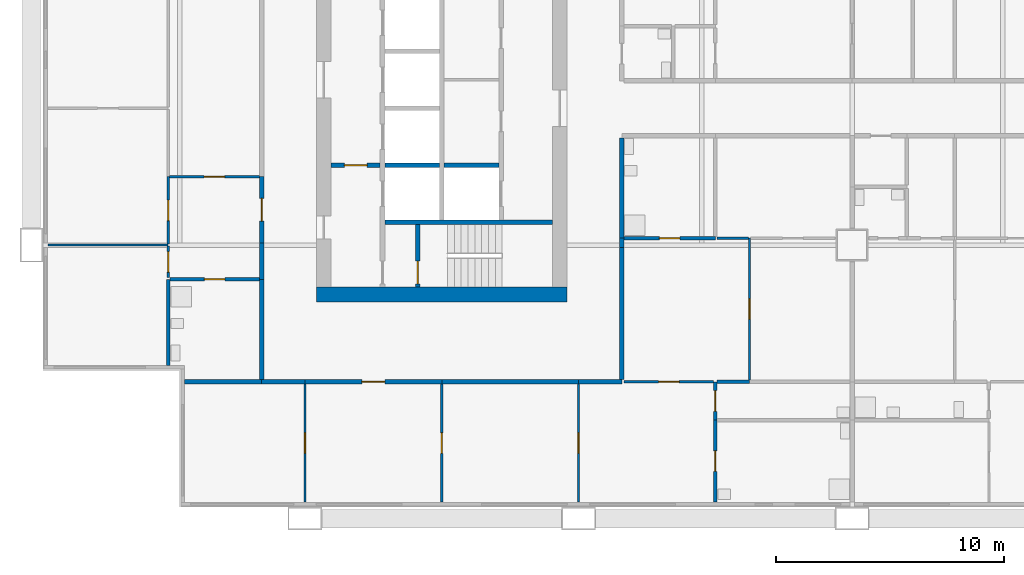
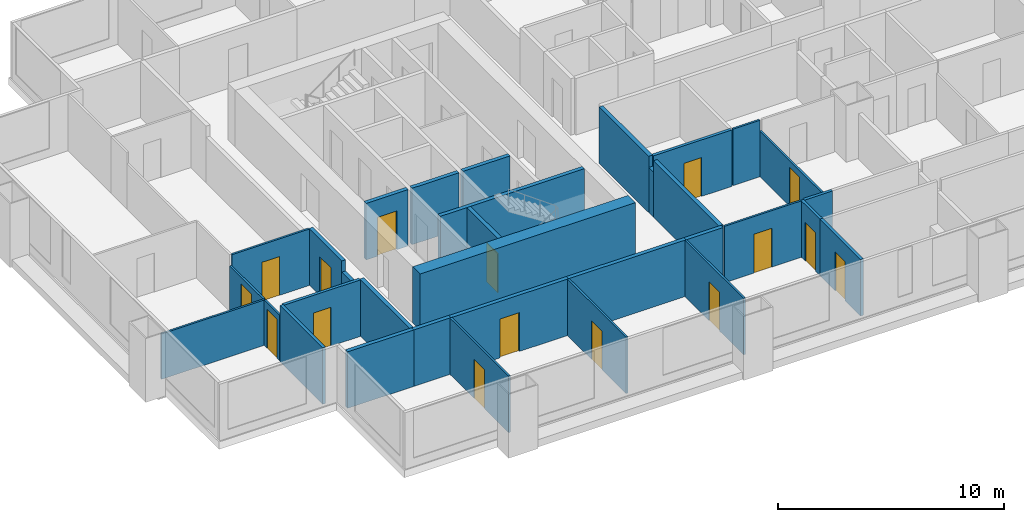
# One storey, part 2 of 11: 33 walls, 16 doors, 16 openings.
"""IFC4 building model written with IfcOpenShell, lengths in metres."""

from ifc_helpers import new_model, si_unit, direction, frame, frame_2d, origin, place, context, subcontext, project, spatial, rectangle, extrude, material, layer, layer_set, type_object, element, fill, save


model = new_model("IFC4")

# Units and contexts
model_context = context("Model", 3, precision=1e-05, world=origin(), true_north=direction((0.0, 1.0)))
body_context = subcontext(model_context, "Body", "Model", "MODEL_VIEW")
ifc_project = project(units=[si_unit("LENGTHUNIT", "METRE"), si_unit("AREAUNIT", "SQUARE_METRE"), si_unit("VOLUMEUNIT", "CUBIC_METRE"), si_unit("PLANEANGLEUNIT", "RADIAN"), si_unit("MASSUNIT", "GRAM", prefix="KILO")], contexts=[model_context])

# Site, building, storey
site_placement = place(None, origin())
site = spatial("IfcSite", under=ifc_project, at=site_placement, CompositionType="ELEMENT")
building_placement = place(site_placement, origin())
building = spatial("IfcBuilding", under=site, at=building_placement, Name="Kitamizu Gate Tower and Museum", CompositionType="ELEMENT")
storey_placement = place(building_placement, frame((0.0, 0.0, 103.5)))
storey = spatial("IfcBuildingStorey", under=building, at=storey_placement, Name="L26", CompositionType="ELEMENT", Elevation=103.5)

# Wall
ifc_material_1 = material(Name="Concrete Fc60", Category="concrete")
ifc_layer_1 = layer(ifc_material_1, 0.64990234375)
ifc_layer_set_1 = layer_set([ifc_layer_1], Name="Concrete Fc60")
wall_type_1 = type_object("IfcWallType", Name="Core wall 650", PredefinedType="SHEAR", material=ifc_layer_set_1)
wall_1_placement = place(storey_placement, frame((12.5, 21.824951171875, 0.0), z_axis=(0.0, 0.0, 1.0), x_axis=(1.0, 0.0, 0.0)))
element("IfcWall", 1, at=wall_1_placement, inside=storey, type_object=wall_type_1, Name="Core wall WS", PredefinedType="SHEAR", context=body_context, shape_type="SweptSolid", body=[
    extrude(rectangle(XDim=11.0, YDim=0.64990234375, at=frame_2d((5.5, 0.0))), origin(), (0.0, 0.0, 1.0), 3.050048828125),
])

# Wall, opening, door
ifc_material_2 = material(Name="Gypsum board on galvanised stud")
ifc_layer_2 = layer(ifc_material_2, 0.10009765625)
ifc_layer_set_2 = layer_set([ifc_layer_2], Name="Gypsum board on galvanised stud")
wall_type_2 = type_object("IfcWallType", Name="Partition 100 NOT RATED", PredefinedType="PARTITIONING", material=ifc_layer_set_2)
wall_2_placement = place(storey_placement, frame((12.0, 12.719970703125, 0.0), z_axis=(0.0, 0.0, 1.0), x_axis=(0.0, 1.0, 0.0)))
wall_2 = element("IfcWall", 2, at=wall_2_placement, inside=storey, type_object=wall_type_2, Name="Partition L26-001", PredefinedType="PARTITIONING", context=body_context, shape_type="SweptSolid", body=[
    extrude(rectangle(XDim=5.179931640625, YDim=0.10009765625, at=frame_2d((2.58984375, 0.0))), origin(), (0.0, 0.0, 1.0), 3.050048828125),
])
opening_1_placement = place(wall_2_placement, frame((2.139892578125, 0.0, 0.0)))
opening_1 = element("IfcOpeningElement", 3, at=opening_1_placement, cuts=wall_2, Name="Opening L26-005", PredefinedType="OPENING", context=body_context, shape_type="SweptSolid", body=[
    extrude(rectangle(XDim=0.89990234375, YDim=2.10009765625, at=frame_2d((0.449951171875, 1.050048828125))), frame((0.0, 0.06005859375, 0.0), z_axis=(0.0, -1.0, 0.0), x_axis=(1.0, 0.0, 0.0)), (0.0, 0.0, 1.0), 0.1201171875),
])
ifc_material_3 = material(Name="Timber door set", Category="wood")
door_type_1 = type_object("IfcDoorType", Name="Room door 900", OperationType="NOTDEFINED", PredefinedType="DOOR", material=ifc_material_3)
door_1_placement = place(opening_1_placement, origin())
door_1 = element("IfcDoor", 4, at=door_1_placement, inside=storey, type_object=door_type_1, Name="Door L26-005", OperationType="SINGLE_SWING_RIGHT", OverallHeight=2.10009765625, OverallWidth=0.89990234375, PredefinedType="DOOR", context=body_context, shape_type="SweptSolid", body=[
    extrude(rectangle(XDim=0.89990234375, YDim=2.10009765625, at=frame_2d((0.449951171875, 1.050048828125))), frame((0.0, 0.02490234375, 0.0), z_axis=(0.0, -1.0, 0.0), x_axis=(1.0, 0.0, 0.0)), (0.0, 0.0, 1.0), 0.050048828125),
])
fill(opening_1, door_1)

wall_3_placement = place(storey_placement, frame((18.0, 12.719970703125, 0.0), z_axis=(0.0, 0.0, 1.0), x_axis=(0.0, 1.0, 0.0)))
wall_3 = element("IfcWall", 5, at=wall_3_placement, inside=storey, type_object=wall_type_2, Name="Partition L26-004", PredefinedType="PARTITIONING", context=body_context, shape_type="SweptSolid", body=[
    extrude(rectangle(XDim=5.179931640625, YDim=0.10009765625, at=frame_2d((2.58984375, 0.0))), origin(), (0.0, 0.0, 1.0), 3.050048828125),
])
opening_2_placement = place(wall_3_placement, frame((2.139892578125, 0.0, 0.0)))
opening_2 = element("IfcOpeningElement", 6, at=opening_2_placement, cuts=wall_3, Name="Opening L26-002", PredefinedType="OPENING", context=body_context, shape_type="SweptSolid", body=[
    extrude(rectangle(XDim=0.89990234375, YDim=2.10009765625, at=frame_2d((0.449951171875, 1.050048828125))), frame((0.0, 0.06005859375, 0.0), z_axis=(0.0, -1.0, 0.0), x_axis=(1.0, 0.0, 0.0)), (0.0, 0.0, 1.0), 0.1201171875),
])
door_2_placement = place(opening_2_placement, frame((0.89990234375, 0.0, 0.0), x_axis=(-1.0, 0.0, 0.0)))
door_2 = element("IfcDoor", 7, at=door_2_placement, inside=storey, type_object=door_type_1, Name="Door L26-002", OperationType="SINGLE_SWING_RIGHT", OverallHeight=2.10009765625, OverallWidth=0.89990234375, PredefinedType="DOOR", context=body_context, shape_type="SweptSolid", body=[
    extrude(rectangle(XDim=0.89990234375, YDim=2.10009765625, at=frame_2d((0.449951171875, 1.050048828125))), frame((0.0, 0.02490234375, 0.0), z_axis=(0.0, -1.0, 0.0), x_axis=(1.0, 0.0, 0.0)), (0.0, 0.0, 1.0), 0.050048828125),
])
fill(opening_2, door_2)

wall_4_placement = place(storey_placement, frame((24.0, 12.719970703125, 0.0), z_axis=(0.0, 0.0, 1.0), x_axis=(0.0, 1.0, 0.0)))
wall_4 = element("IfcWall", 8, at=wall_4_placement, inside=storey, type_object=wall_type_2, Name="Partition L26-006", PredefinedType="PARTITIONING", context=body_context, shape_type="SweptSolid", body=[
    extrude(rectangle(XDim=5.179931640625, YDim=0.10009765625, at=frame_2d((2.58984375, 0.0))), origin(), (0.0, 0.0, 1.0), 3.050048828125),
])
opening_3_placement = place(wall_4_placement, frame((2.139892578125, 0.0, 0.0)))
opening_3 = element("IfcOpeningElement", 9, at=opening_3_placement, cuts=wall_4, Name="Opening L26-003", PredefinedType="OPENING", context=body_context, shape_type="SweptSolid", body=[
    extrude(rectangle(XDim=0.89990234375, YDim=2.10009765625, at=frame_2d((0.449951171875, 1.050048828125))), frame((0.0, 0.06005859375, 0.0), z_axis=(0.0, -1.0, 0.0), x_axis=(1.0, 0.0, 0.0)), (0.0, 0.0, 1.0), 0.1201171875),
])
door_3_placement = place(opening_3_placement, origin())
door_3 = element("IfcDoor", 10, at=door_3_placement, inside=storey, type_object=door_type_1, Name="Door L26-003", OperationType="SINGLE_SWING_RIGHT", OverallHeight=2.10009765625, OverallWidth=0.89990234375, PredefinedType="DOOR", context=body_context, shape_type="SweptSolid", body=[
    extrude(rectangle(XDim=0.89990234375, YDim=2.10009765625, at=frame_2d((0.449951171875, 1.050048828125))), frame((0.0, 0.02490234375, 0.0), z_axis=(0.0, -1.0, 0.0), x_axis=(1.0, 0.0, 0.0)), (0.0, 0.0, 1.0), 0.050048828125),
])
fill(opening_3, door_3)

wall_5_placement = place(storey_placement, frame((29.925048828125, 18.0, 0.0), z_axis=(0.0, 0.0, 1.0), x_axis=(-1.0, 0.0, 0.0)))
wall_5 = element("IfcWall", 11, at=wall_5_placement, inside=storey, type_object=wall_type_2, Name="Partition L26-010", PredefinedType="PARTITIONING", context=body_context, shape_type="SweptSolid", body=[
    extrude(rectangle(XDim=3.925048828125, YDim=0.10009765625, at=frame_2d((1.96240234375, 0.0))), origin(), (0.0, 0.0, 1.0), 3.050048828125),
])
opening_4_placement = place(wall_5_placement, frame((1.512451171875, 0.0, 0.0)))
opening_4 = element("IfcOpeningElement", 12, at=opening_4_placement, cuts=wall_5, Name="Opening L26-007", PredefinedType="OPENING", context=body_context, shape_type="SweptSolid", body=[
    extrude(rectangle(XDim=0.89990234375, YDim=2.10009765625, at=frame_2d((0.449951171875, 1.050048828125))), frame((0.0, 0.06005859375, 0.0), z_axis=(0.0, -1.0, 0.0), x_axis=(1.0, 0.0, 0.0)), (0.0, 0.0, 1.0), 0.1201171875),
])
door_4_placement = place(opening_4_placement, origin())
door_4 = element("IfcDoor", 13, at=door_4_placement, inside=storey, type_object=door_type_1, Name="Door L26-007", OperationType="SINGLE_SWING_RIGHT", OverallHeight=2.10009765625, OverallWidth=0.89990234375, PredefinedType="DOOR", context=body_context, shape_type="SweptSolid", body=[
    extrude(rectangle(XDim=0.89990234375, YDim=2.10009765625, at=frame_2d((0.449951171875, 1.050048828125))), frame((0.0, 0.02490234375, 0.0), z_axis=(0.0, -1.0, 0.0), x_axis=(1.0, 0.0, 0.0)), (0.0, 0.0, 1.0), 0.050048828125),
])
fill(opening_4, door_4)

wall_6_placement = place(storey_placement, frame((31.5, 18.074951171875, 0.0), z_axis=(0.0, 0.0, 1.0), x_axis=(0.0, 1.0, 0.0)))
wall_6 = element("IfcWall", 14, at=wall_6_placement, inside=storey, type_object=wall_type_2, Name="Partition L26-017", PredefinedType="PARTITIONING", context=body_context, shape_type="SweptSolid", body=[
    extrude(rectangle(XDim=6.22509765625, YDim=0.10009765625, at=frame_2d((3.112548828125, 0.0))), origin(), (0.0, 0.0, 1.0), 2.449951171875),
])
opening_5_placement = place(wall_6_placement, frame((2.66259765625, 0.0, 0.0)))
opening_5 = element("IfcOpeningElement", 15, at=opening_5_placement, cuts=wall_6, Name="Opening L26-009", PredefinedType="OPENING", context=body_context, shape_type="SweptSolid", body=[
    extrude(rectangle(XDim=0.89990234375, YDim=2.10009765625, at=frame_2d((0.449951171875, 1.050048828125))), frame((0.0, 0.06005859375, 0.0), z_axis=(0.0, -1.0, 0.0), x_axis=(1.0, 0.0, 0.0)), (0.0, 0.0, 1.0), 0.1201171875),
])
door_5_placement = place(opening_5_placement, frame((0.89990234375, 0.0, 0.0), x_axis=(-1.0, 0.0, 0.0)))
door_5 = element("IfcDoor", 16, at=door_5_placement, inside=storey, type_object=door_type_1, Name="Door L26-009", OperationType="SINGLE_SWING_LEFT", OverallHeight=2.10009765625, OverallWidth=0.89990234375, PredefinedType="DOOR", context=body_context, shape_type="SweptSolid", body=[
    extrude(rectangle(XDim=0.89990234375, YDim=2.10009765625, at=frame_2d((0.449951171875, 1.050048828125))), frame((0.0, 0.02490234375, 0.0), z_axis=(0.0, -1.0, 0.0), x_axis=(1.0, 0.0, 0.0)), (0.0, 0.0, 1.0), 0.050048828125),
])
fill(opening_5, door_5)

# Walls
wall_7_placement = place(storey_placement, frame((31.449951171875, 24.300048828125, 0.0), z_axis=(0.0, 0.0, 1.0), x_axis=(-1.0, 0.0, 0.0)))
element("IfcWall", 17, at=wall_7_placement, inside=storey, type_object=wall_type_2, Name="Partition L26-019", PredefinedType="PARTITIONING", context=body_context, shape_type="SweptSolid", body=[
    extrude(rectangle(XDim=1.375, YDim=0.10009765625, at=frame_2d((0.6875, 0.0))), origin(), (0.0, 0.0, 1.0), 3.050048828125),
])
wall_8_placement = place(storey_placement, frame((6.0, 24.0, 0.0), z_axis=(0.0, 0.0, 1.0), x_axis=(-1.0, 0.0, 0.0)))
element("IfcWall", 18, at=wall_8_placement, inside=storey, type_object=wall_type_2, Name="Partition L26-030", PredefinedType="PARTITIONING", context=body_context, shape_type="SweptSolid", body=[
    extrude(rectangle(XDim=5.280029296875, YDim=0.10009765625, at=frame_2d((2.64013671875, 0.0))), origin(), (0.0, 0.0, 1.0), 2.449951171875),
])

# Wall, opening, door
wall_9_placement = place(storey_placement, frame((6.0, 22.574951171875, 0.0), z_axis=(0.0, 0.0, 1.0), x_axis=(0.0, 1.0, 0.0)))
wall_9 = element("IfcWall", 19, at=wall_9_placement, inside=storey, type_object=wall_type_2, Name="Partition L26-032", PredefinedType="PARTITIONING", context=body_context, shape_type="SweptSolid", body=[
    extrude(rectangle(XDim=1.375, YDim=0.10009765625, at=frame_2d((0.6875, 0.0))), origin(), (0.0, 0.0, 1.0), 2.449951171875),
])
opening_6_placement = place(wall_9_placement, frame((0.237548828125, 0.0, 0.0)))
opening_6 = element("IfcOpeningElement", 20, at=opening_6_placement, cuts=wall_9, Name="Opening L26-012", PredefinedType="OPENING", context=body_context, shape_type="SweptSolid", body=[
    extrude(rectangle(XDim=0.89990234375, YDim=2.10009765625, at=frame_2d((0.449951171875, 1.050048828125))), frame((0.0, 0.06005859375, 0.0), z_axis=(0.0, -1.0, 0.0), x_axis=(1.0, 0.0, 0.0)), (0.0, 0.0, 1.0), 0.1201171875),
])
door_6_placement = place(opening_6_placement, origin())
door_6 = element("IfcDoor", 21, at=door_6_placement, inside=storey, type_object=door_type_1, Name="Door L26-012", OperationType="SINGLE_SWING_LEFT", OverallHeight=2.10009765625, OverallWidth=0.89990234375, PredefinedType="DOOR", context=body_context, shape_type="SweptSolid", body=[
    extrude(rectangle(XDim=0.89990234375, YDim=2.10009765625, at=frame_2d((0.449951171875, 1.050048828125))), frame((0.0, 0.02490234375, 0.0), z_axis=(0.0, -1.0, 0.0), x_axis=(1.0, 0.0, 0.0)), (0.0, 0.0, 1.0), 0.050048828125),
])
fill(opening_6, door_6)

wall_10_placement = place(storey_placement, frame((6.0, 24.050048828125, 0.0), z_axis=(0.0, 0.0, 1.0), x_axis=(0.0, 1.0, 0.0)))
wall_10 = element("IfcWall", 22, at=wall_10_placement, inside=storey, type_object=wall_type_2, Name="Partition L26-034", PredefinedType="PARTITIONING", context=body_context, shape_type="SweptSolid", body=[
    extrude(rectangle(XDim=2.949951171875, YDim=0.10009765625, at=frame_2d((1.47509765625, 0.0))), origin(), (0.0, 0.0, 1.0), 2.449951171875),
])
opening_7_placement = place(wall_10_placement, frame((1.02490234375, 0.0, 0.0)))
opening_7 = element("IfcOpeningElement", 23, at=opening_7_placement, cuts=wall_10, Name="Opening L26-013", PredefinedType="OPENING", context=body_context, shape_type="SweptSolid", body=[
    extrude(rectangle(XDim=0.89990234375, YDim=2.10009765625, at=frame_2d((0.449951171875, 1.050048828125))), frame((0.0, 0.06005859375, 0.0), z_axis=(0.0, -1.0, 0.0), x_axis=(1.0, 0.0, 0.0)), (0.0, 0.0, 1.0), 0.1201171875),
])
door_7_placement = place(opening_7_placement, origin())
door_7 = element("IfcDoor", 24, at=door_7_placement, inside=storey, type_object=door_type_1, Name="Door L26-013", OperationType="SINGLE_SWING_RIGHT", OverallHeight=2.10009765625, OverallWidth=0.89990234375, PredefinedType="DOOR", context=body_context, shape_type="SweptSolid", body=[
    extrude(rectangle(XDim=0.89990234375, YDim=2.10009765625, at=frame_2d((0.449951171875, 1.050048828125))), frame((0.0, 0.02490234375, 0.0), z_axis=(0.0, -1.0, 0.0), x_axis=(1.0, 0.0, 0.0)), (0.0, 0.0, 1.0), 0.050048828125),
])
fill(opening_7, door_7)

wall_11_placement = place(storey_placement, frame((10.0, 27.0, 0.0), z_axis=(0.0, 0.0, 1.0), x_axis=(-1.0, 0.0, 0.0)))
wall_11 = element("IfcWall", 25, at=wall_11_placement, inside=storey, type_object=wall_type_2, Name="Partition L26-041", PredefinedType="PARTITIONING", context=body_context, shape_type="SweptSolid", body=[
    extrude(rectangle(XDim=3.949951171875, YDim=0.10009765625, at=frame_2d((1.97509765625, 0.0))), origin(), (0.0, 0.0, 1.0), 3.050048828125),
])
opening_8_placement = place(wall_11_placement, frame((1.52490234375, 0.0, 0.0)))
opening_8 = element("IfcOpeningElement", 26, at=opening_8_placement, cuts=wall_11, Name="Opening L26-014", PredefinedType="OPENING", context=body_context, shape_type="SweptSolid", body=[
    extrude(rectangle(XDim=0.89990234375, YDim=2.10009765625, at=frame_2d((0.449951171875, 1.050048828125))), frame((0.0, 0.06005859375, 0.0), z_axis=(0.0, -1.0, 0.0), x_axis=(1.0, 0.0, 0.0)), (0.0, 0.0, 1.0), 0.1201171875),
])
door_8_placement = place(opening_8_placement, origin())
door_8 = element("IfcDoor", 27, at=door_8_placement, inside=storey, type_object=door_type_1, Name="Door L26-014", OperationType="SINGLE_SWING_LEFT", OverallHeight=2.10009765625, OverallWidth=0.89990234375, PredefinedType="DOOR", context=body_context, shape_type="SweptSolid", body=[
    extrude(rectangle(XDim=0.89990234375, YDim=2.10009765625, at=frame_2d((0.449951171875, 1.050048828125))), frame((0.0, 0.02490234375, 0.0), z_axis=(0.0, -1.0, 0.0), x_axis=(1.0, 0.0, 0.0)), (0.0, 0.0, 1.0), 0.050048828125),
])
fill(opening_8, door_8)

ifc_material_4 = material(Name="Gypsum board on galvanised stud")
ifc_layer_3 = layer(ifc_material_4, 0.14990234375)
ifc_layer_set_3 = layer_set([ifc_layer_3], Name="Gypsum board on galvanised stud")
wall_type_3 = type_object("IfcWallType", Name="Partition 150", PredefinedType="PARTITIONING", material=ifc_layer_set_3)
wall_12_placement = place(storey_placement, frame((30.0, 12.719970703125, 0.0), z_axis=(0.0, 0.0, 1.0), x_axis=(0.0, 1.0, 0.0)))
wall_12 = element("IfcWall", 28, at=wall_12_placement, inside=storey, type_object=wall_type_3, Name="Partition L26-008", PredefinedType="PARTITIONING", context=body_context, shape_type="SweptSolid", body=[
    extrude(rectangle(XDim=3.60009765625, YDim=0.14990234375, at=frame_2d((1.800048828125, 0.0))), origin(), (0.0, 0.0, 1.0), 3.050048828125),
])
opening_9_placement = place(wall_12_placement, frame((1.35009765625, 0.0, 0.0)))
opening_9 = element("IfcOpeningElement", 29, at=opening_9_placement, cuts=wall_12, Name="Opening L26-004", PredefinedType="OPENING", context=body_context, shape_type="SweptSolid", body=[
    extrude(rectangle(XDim=0.89990234375, YDim=2.10009765625, at=frame_2d((0.449951171875, 1.050048828125))), frame((0.0, 0.0849609375, 0.0), z_axis=(0.0, -1.0, 0.0), x_axis=(1.0, 0.0, 0.0)), (0.0, 0.0, 1.0), 0.169921875),
])
ifc_material_5 = material(Name="Timber door set", Category="wood")
door_type_2 = type_object("IfcDoorType", Name="Bathroom door 900", OperationType="NOTDEFINED", PredefinedType="DOOR", material=ifc_material_5)
door_9_placement = place(opening_9_placement, frame((0.89990234375, 0.0, 0.0), x_axis=(-1.0, 0.0, 0.0)))
door_9 = element("IfcDoor", 30, at=door_9_placement, inside=storey, type_object=door_type_2, Name="Bathroom door L26-004", OperationType="SINGLE_SWING_RIGHT", OverallHeight=2.10009765625, OverallWidth=0.89990234375, PredefinedType="DOOR", context=body_context, shape_type="SweptSolid", body=[
    extrude(rectangle(XDim=0.89990234375, YDim=2.10009765625, at=frame_2d((0.449951171875, 1.050048828125))), frame((0.0, 0.02490234375, 0.0), z_axis=(0.0, -1.0, 0.0), x_axis=(1.0, 0.0, 0.0)), (0.0, 0.0, 1.0), 0.050048828125),
])
fill(opening_9, door_9)

wall_13_placement = place(storey_placement, frame((30.0, 16.320068359375, 0.0), z_axis=(0.0, 0.0, 1.0), x_axis=(0.0, 1.0, 0.0)))
wall_13 = element("IfcWall", 31, at=wall_13_placement, inside=storey, type_object=wall_type_3, Name="Partition L26-009", PredefinedType="PARTITIONING", context=body_context, shape_type="SweptSolid", body=[
    extrude(rectangle(XDim=1.679931640625, YDim=0.14990234375, at=frame_2d((0.83984375, 0.0))), origin(), (0.0, 0.0, 1.0), 3.050048828125),
])
opening_10_placement = place(wall_13_placement, frame((0.389892578125, 0.0, 0.0)))
opening_10 = element("IfcOpeningElement", 32, at=opening_10_placement, cuts=wall_13, Name="Opening L26-006", PredefinedType="OPENING", context=body_context, shape_type="SweptSolid", body=[
    extrude(rectangle(XDim=0.89990234375, YDim=2.10009765625, at=frame_2d((0.449951171875, 1.050048828125))), frame((0.0, 0.0849609375, 0.0), z_axis=(0.0, -1.0, 0.0), x_axis=(1.0, 0.0, 0.0)), (0.0, 0.0, 1.0), 0.169921875),
])
door_10_placement = place(opening_10_placement, frame((0.89990234375, 0.0, 0.0), x_axis=(-1.0, 0.0, 0.0)))
door_10 = element("IfcDoor", 33, at=door_10_placement, inside=storey, type_object=door_type_2, Name="Bathroom door L26-006", OperationType="SINGLE_SWING_RIGHT", OverallHeight=2.10009765625, OverallWidth=0.89990234375, PredefinedType="DOOR", context=body_context, shape_type="SweptSolid", body=[
    extrude(rectangle(XDim=0.89990234375, YDim=2.10009765625, at=frame_2d((0.449951171875, 1.050048828125))), frame((0.0, 0.02490234375, 0.0), z_axis=(0.0, -1.0, 0.0), x_axis=(1.0, 0.0, 0.0)), (0.0, 0.0, 1.0), 0.050048828125),
])
fill(opening_10, door_10)

# Wall
wall_14_placement = place(storey_placement, frame((31.5, 18.0, 0.0), z_axis=(0.0, 0.0, 1.0), x_axis=(-1.0, 0.0, 0.0)))
element("IfcWall", 34, at=wall_14_placement, inside=storey, type_object=wall_type_3, Name="Partition L26-014", PredefinedType="PARTITIONING", context=body_context, shape_type="SweptSolid", body=[
    extrude(rectangle(XDim=1.425048828125, YDim=0.14990234375, at=frame_2d((0.71240234375, 0.0))), origin(), (0.0, 0.0, 1.0), 3.050048828125),
])

# Wall, opening, door
wall_15_placement = place(storey_placement, frame((30.0, 24.300048828125, 0.0), z_axis=(0.0, 0.0, 1.0), x_axis=(-1.0, 0.0, 0.0)))
wall_15 = element("IfcWall", 35, at=wall_15_placement, inside=storey, type_object=wall_type_3, Name="Partition L26-018", PredefinedType="PARTITIONING", context=body_context, shape_type="SweptSolid", body=[
    extrude(rectangle(XDim=4.0, YDim=0.14990234375, at=frame_2d((2.0, 0.0))), origin(), (0.0, 0.0, 1.0), 3.050048828125),
])
opening_11_placement = place(wall_15_placement, frame((1.550048828125, 0.0, 0.0)))
opening_11 = element("IfcOpeningElement", 36, at=opening_11_placement, cuts=wall_15, Name="Opening L26-008", PredefinedType="OPENING", context=body_context, shape_type="SweptSolid", body=[
    extrude(rectangle(XDim=0.89990234375, YDim=2.10009765625, at=frame_2d((0.449951171875, 1.050048828125))), frame((0.0, 0.0849609375, 0.0), z_axis=(0.0, -1.0, 0.0), x_axis=(1.0, 0.0, 0.0)), (0.0, 0.0, 1.0), 0.169921875),
])
door_11_placement = place(opening_11_placement, frame((0.89990234375, 0.0, 0.0), x_axis=(-1.0, 0.0, 0.0)))
door_11 = element("IfcDoor", 37, at=door_11_placement, inside=storey, type_object=door_type_2, Name="Bathroom door L26-008", OperationType="SINGLE_SWING_RIGHT", OverallHeight=2.10009765625, OverallWidth=0.89990234375, PredefinedType="DOOR", context=body_context, shape_type="SweptSolid", body=[
    extrude(rectangle(XDim=0.89990234375, YDim=2.10009765625, at=frame_2d((0.449951171875, 1.050048828125))), frame((0.0, 0.02490234375, 0.0), z_axis=(0.0, -1.0, 0.0), x_axis=(1.0, 0.0, 0.0)), (0.0, 0.0, 1.0), 0.050048828125),
])
fill(opening_11, door_11)

# Wall
wall_16_placement = place(storey_placement, frame((6.0, 18.719970703125, 0.0), z_axis=(0.0, 0.0, 1.0), x_axis=(0.0, 1.0, 0.0)))
element("IfcWall", 38, at=wall_16_placement, inside=storey, type_object=wall_type_3, Name="Partition L26-031", PredefinedType="PARTITIONING", context=body_context, shape_type="SweptSolid", body=[
    extrude(rectangle(XDim=3.780029296875, YDim=0.14990234375, at=frame_2d((1.89013671875, 0.0))), origin(), (0.0, 0.0, 1.0), 3.050048828125),
])

# Wall, opening, door
wall_17_placement = place(storey_placement, frame((10.0, 22.5, 0.0), z_axis=(0.0, 0.0, 1.0), x_axis=(-1.0, 0.0, 0.0)))
wall_17 = element("IfcWall", 39, at=wall_17_placement, inside=storey, type_object=wall_type_3, Name="Partition L26-039", PredefinedType="PARTITIONING", context=body_context, shape_type="SweptSolid", body=[
    extrude(rectangle(XDim=3.925048828125, YDim=0.14990234375, at=frame_2d((1.96240234375, 0.0))), origin(), (0.0, 0.0, 1.0), 3.050048828125),
])
opening_12_placement = place(wall_17_placement, frame((1.512451171875, 0.0, 0.0)))
opening_12 = element("IfcOpeningElement", 40, at=opening_12_placement, cuts=wall_17, Name="Opening L26-016", PredefinedType="OPENING", context=body_context, shape_type="SweptSolid", body=[
    extrude(rectangle(XDim=0.89990234375, YDim=2.10009765625, at=frame_2d((0.449951171875, 1.050048828125))), frame((0.0, 0.0849609375, 0.0), z_axis=(0.0, -1.0, 0.0), x_axis=(1.0, 0.0, 0.0)), (0.0, 0.0, 1.0), 0.169921875),
])
door_12_placement = place(opening_12_placement, origin())
door_12 = element("IfcDoor", 41, at=door_12_placement, inside=storey, type_object=door_type_2, Name="Bathroom door L26-016", OperationType="SINGLE_SWING_LEFT", OverallHeight=2.10009765625, OverallWidth=0.89990234375, PredefinedType="DOOR", context=body_context, shape_type="SweptSolid", body=[
    extrude(rectangle(XDim=0.89990234375, YDim=2.10009765625, at=frame_2d((0.449951171875, 1.050048828125))), frame((0.0, 0.02490234375, 0.0), z_axis=(0.0, -1.0, 0.0), x_axis=(1.0, 0.0, 0.0)), (0.0, 0.0, 1.0), 0.050048828125),
])
fill(opening_12, door_12)

# Walls
ifc_material_6 = material(Name="Gypsum board on galvanised stud")
ifc_layer_4 = layer(ifc_material_6, 0.199951171875)
ifc_layer_set_4 = layer_set([ifc_layer_4], Name="Gypsum board on galvanised stud")
wall_type_4 = type_object("IfcWallType", Name="Partition 200", PredefinedType="PARTITIONING", material=ifc_layer_set_4)
wall_18_placement = place(storey_placement, frame((10.10009765625, 18.0, 0.0), z_axis=(0.0, 0.0, 1.0), x_axis=(-1.0, 0.0, 0.0)))
element("IfcWall", 42, at=wall_18_placement, inside=storey, type_object=wall_type_4, Name="Partition L26-002", PredefinedType="PARTITIONING", context=body_context, shape_type="SweptSolid", body=[
    extrude(rectangle(XDim=3.380126953125, YDim=0.199951171875, at=frame_2d((1.68994140625, 0.0))), origin(), (0.0, 0.0, 1.0), 3.050048828125),
])
wall_19_placement = place(storey_placement, frame((12.0, 18.0, 0.0), z_axis=(0.0, 0.0, 1.0), x_axis=(-1.0, 0.0, 0.0)))
element("IfcWall", 43, at=wall_19_placement, inside=storey, type_object=wall_type_4, Name="Partition L26-003", PredefinedType="PARTITIONING", context=body_context, shape_type="SweptSolid", body=[
    extrude(rectangle(XDim=1.89990234375, YDim=0.199951171875, at=frame_2d((0.949951171875, 0.0))), origin(), (0.0, 0.0, 1.0), 3.050048828125),
])

# Wall, opening, door
wall_20_placement = place(storey_placement, frame((18.0, 18.0, 0.0), z_axis=(0.0, 0.0, 1.0), x_axis=(-1.0, 0.0, 0.0)))
wall_20 = element("IfcWall", 44, at=wall_20_placement, inside=storey, type_object=wall_type_4, Name="Partition L26-005", PredefinedType="PARTITIONING", context=body_context, shape_type="SweptSolid", body=[
    extrude(rectangle(XDim=6.0, YDim=0.199951171875, at=frame_2d((3.0, 0.0))), origin(), (0.0, 0.0, 1.0), 3.050048828125),
])
opening_13_placement = place(wall_20_placement, frame((2.5, 0.0, 0.0)))
opening_13 = element("IfcOpeningElement", 45, at=opening_13_placement, cuts=wall_20, Name="Opening L26-001", PredefinedType="OPENING", context=body_context, shape_type="SweptSolid", body=[
    extrude(rectangle(XDim=1.0, YDim=2.10009765625, at=frame_2d((0.5, 1.050048828125))), frame((0.0, 0.10986328125, 0.0), z_axis=(0.0, -1.0, 0.0), x_axis=(1.0, 0.0, 0.0)), (0.0, 0.0, 1.0), 0.219970703125),
])
ifc_material_7 = material(Name="Timber door set", Category="wood")
door_type_3 = type_object("IfcDoorType", Name="Flat entrance door 1000", OperationType="NOTDEFINED", PredefinedType="DOOR", material=ifc_material_7)
door_13_placement = place(opening_13_placement, origin())
door_13 = element("IfcDoor", 46, at=door_13_placement, inside=storey, type_object=door_type_3, Name="Flat entrance door L26-001", OperationType="SINGLE_SWING_RIGHT", OverallHeight=2.10009765625, OverallWidth=1.0, PredefinedType="DOOR", context=body_context, shape_type="SweptSolid", body=[
    extrude(rectangle(XDim=1.0, YDim=2.10009765625, at=frame_2d((0.5, 1.050048828125))), frame((0.0, 0.02490234375, 0.0), z_axis=(0.0, -1.0, 0.0), x_axis=(1.0, 0.0, 0.0)), (0.0, 0.0, 1.0), 0.050048828125),
])
fill(opening_13, door_13)

# Walls
wall_21_placement = place(storey_placement, frame((24.0, 18.0, 0.0), z_axis=(0.0, 0.0, 1.0), x_axis=(-1.0, 0.0, 0.0)))
element("IfcWall", 47, at=wall_21_placement, inside=storey, type_object=wall_type_4, Name="Partition L26-007", PredefinedType="PARTITIONING", context=body_context, shape_type="SweptSolid", body=[
    extrude(rectangle(XDim=6.0, YDim=0.199951171875, at=frame_2d((3.0, 0.0))), origin(), (0.0, 0.0, 1.0), 3.050048828125),
])
wall_22_placement = place(storey_placement, frame((25.89990234375, 18.0, 0.0), z_axis=(0.0, 0.0, 1.0), x_axis=(-1.0, 0.0, 0.0)))
element("IfcWall", 48, at=wall_22_placement, inside=storey, type_object=wall_type_4, Name="Partition L26-011", PredefinedType="PARTITIONING", context=body_context, shape_type="SweptSolid", body=[
    extrude(rectangle(XDim=1.89990234375, YDim=0.199951171875, at=frame_2d((0.949951171875, 0.0))), origin(), (0.0, 0.0, 1.0), 3.050048828125),
])
wall_23_placement = place(storey_placement, frame((25.89990234375, 24.300048828125, 0.0), z_axis=(0.0, 0.0, 1.0), x_axis=(0.0, -1.0, 0.0)))
element("IfcWall", 49, at=wall_23_placement, inside=storey, type_object=wall_type_4, Name="Partition L26-020", PredefinedType="PARTITIONING", context=body_context, shape_type="SweptSolid", body=[
    extrude(rectangle(XDim=0.400146484375, YDim=0.199951171875, at=frame_2d((0.2001953125, 0.0))), origin(), (0.0, 0.0, 1.0), 2.449951171875),
])
wall_24_placement = place(storey_placement, frame((25.89990234375, 23.89990234375, 0.0), z_axis=(0.0, 0.0, 1.0), x_axis=(0.0, -1.0, 0.0)))
element("IfcWall", 50, at=wall_24_placement, inside=storey, type_object=wall_type_4, Name="Partition L26-021", PredefinedType="PARTITIONING", context=body_context, shape_type="SweptSolid", body=[
    extrude(rectangle(XDim=5.7998046875, YDim=0.199951171875, at=frame_2d((2.89990234375, 0.0))), origin(), (0.0, 0.0, 1.0), 3.050048828125),
])
for number, where, z_axis, x_axis, name in (
    (51, (25.89990234375, 28.699951171875, 0.0), (0.0, 0.0, 1.0), (0.0, -1.0, 0.0), "Partition L26-026"),
    (52, (10.10009765625, 18.10009765625, 0.0), (0.0, 0.0, 1.0), (0.0, 1.0, 0.0), "Partition L26-040"),
):
    element("IfcWall", number, at=place(storey_placement, frame(where, z_axis=z_axis, x_axis=x_axis)), inside=storey, type_object=wall_type_4, Name=name, PredefinedType="PARTITIONING", context=body_context, shape_type="SweptSolid", body=[
        extrude(rectangle(XDim=4.39990234375, YDim=0.199951171875, at=frame_2d((2.199951171875, 0.0))), origin(), (0.0, 0.0, 1.0), 3.050048828125),
    ])
wall_25_placement = place(storey_placement, frame((10.10009765625, 22.5, 0.0), z_axis=(0.0, 0.0, 1.0), x_axis=(0.0, 1.0, 0.0)))
element("IfcWall", 53, at=wall_25_placement, inside=storey, type_object=wall_type_4, Name="Partition L26-042", PredefinedType="PARTITIONING", context=body_context, shape_type="SweptSolid", body=[
    extrude(rectangle(XDim=1.60009765625, YDim=0.199951171875, at=frame_2d((0.800048828125, 0.0))), origin(), (0.0, 0.0, 1.0), 2.449951171875),
])

# Wall, opening, door
wall_26_placement = place(storey_placement, frame((10.10009765625, 24.10009765625, 0.0), z_axis=(0.0, 0.0, 1.0), x_axis=(0.0, 1.0, 0.0)))
wall_26 = element("IfcWall", 54, at=wall_26_placement, inside=storey, type_object=wall_type_4, Name="Partition L26-043", PredefinedType="PARTITIONING", context=body_context, shape_type="SweptSolid", body=[
    extrude(rectangle(XDim=2.89990234375, YDim=0.199951171875, at=frame_2d((1.449951171875, 0.0))), origin(), (0.0, 0.0, 1.0), 3.050048828125),
])
opening_14_placement = place(wall_26_placement, frame((0.949951171875, 0.0, 0.0)))
opening_14 = element("IfcOpeningElement", 55, at=opening_14_placement, cuts=wall_26, Name="Opening L26-011", PredefinedType="OPENING", context=body_context, shape_type="SweptSolid", body=[
    extrude(rectangle(XDim=1.0, YDim=2.10009765625, at=frame_2d((0.5, 1.050048828125))), frame((0.0, 0.10986328125, 0.0), z_axis=(0.0, -1.0, 0.0), x_axis=(1.0, 0.0, 0.0)), (0.0, 0.0, 1.0), 0.219970703125),
])
door_14_placement = place(opening_14_placement, origin())
door_14 = element("IfcDoor", 56, at=door_14_placement, inside=storey, type_object=door_type_3, Name="Flat entrance door L26-011", OperationType="SINGLE_SWING_LEFT", OverallHeight=2.10009765625, OverallWidth=1.0, PredefinedType="DOOR", context=body_context, shape_type="SweptSolid", body=[
    extrude(rectangle(XDim=1.0, YDim=2.10009765625, at=frame_2d((0.5, 1.050048828125))), frame((0.0, 0.02490234375, 0.0), z_axis=(0.0, -1.0, 0.0), x_axis=(1.0, 0.0, 0.0)), (0.0, 0.0, 1.0), 0.050048828125),
])
fill(opening_14, door_14)

# Wall
ifc_material_8 = material(Name="Concrete Fc42", Category="concrete")
ifc_layer_5 = layer(ifc_material_8, 0.199951171875)
ifc_layer_set_5 = layer_set([ifc_layer_5], Name="Concrete Fc42")
wall_type_5 = type_object("IfcWallType", Name="Shaft wall 200", PredefinedType="SOLIDWALL", material=ifc_layer_set_5)
wall_27_placement = place(storey_placement, frame((15.5, 25.0, 0.0), z_axis=(0.0, 0.0, 1.0), x_axis=(1.0, 0.0, 0.0)))
element("IfcWall", 57, at=wall_27_placement, inside=storey, type_object=wall_type_5, Name="Shaft wall WSB", PredefinedType="SOLIDWALL", context=body_context, shape_type="SweptSolid", body=[
    extrude(rectangle(XDim=7.35009765625, YDim=0.199951171875, at=frame_2d((3.675048828125, 0.0))), origin(), (0.0, 0.0, 1.0), 3.050048828125),
])

# Wall, opening, door
wall_28_placement = place(storey_placement, frame((13.14990234375, 27.5, 0.0), z_axis=(0.0, 0.0, 1.0), x_axis=(1.0, 0.0, 0.0)))
wall_28 = element("IfcWall", 58, at=wall_28_placement, inside=storey, type_object=wall_type_5, Name="Shaft wall WFFN", PredefinedType="SOLIDWALL", context=body_context, shape_type="SweptSolid", body=[
    extrude(rectangle(XDim=2.150146484375, YDim=0.199951171875, at=frame_2d((1.0751953125, 0.0))), origin(), (0.0, 0.0, 1.0), 3.050048828125),
])
opening_15_placement = place(wall_28_placement, frame((0.574951171875, 0.0, 0.0)))
opening_15 = element("IfcOpeningElement", 59, at=opening_15_placement, cuts=wall_28, Name="Opening L26-060", PredefinedType="OPENING", context=body_context, shape_type="SweptSolid", body=[
    extrude(rectangle(XDim=1.0, YDim=2.10009765625, at=frame_2d((0.5, 1.050048828125))), frame((0.0, 0.10986328125, 0.0), z_axis=(0.0, -1.0, 0.0), x_axis=(1.0, 0.0, 0.0)), (0.0, 0.0, 1.0), 0.219970703125),
])
ifc_material_9 = material(Name="Hollow metal door set")
door_type_4 = type_object("IfcDoorType", Name="Fire door 1000", OperationType="NOTDEFINED", PredefinedType="DOOR", material=ifc_material_9)
door_15_placement = place(opening_15_placement, frame((1.0, 0.0, 0.0), x_axis=(-1.0, 0.0, 0.0)))
door_15 = element("IfcDoor", 60, at=door_15_placement, inside=storey, type_object=door_type_4, Name="Fire-fighting lobby door L26-060", OperationType="SINGLE_SWING_LEFT", OverallHeight=2.10009765625, OverallWidth=1.0, PredefinedType="DOOR", context=body_context, shape_type="SweptSolid", body=[
    extrude(rectangle(XDim=1.0, YDim=2.10009765625, at=frame_2d((0.5, 1.050048828125))), frame((0.0, 0.02490234375, 0.0), z_axis=(0.0, -1.0, 0.0), x_axis=(1.0, 0.0, 0.0)), (0.0, 0.0, 1.0), 0.050048828125),
])
fill(opening_15, door_15)

wall_29_placement = place(storey_placement, frame((16.949951171875, 22.14990234375, 0.0), z_axis=(0.0, 0.0, 1.0), x_axis=(0.0, 1.0, 0.0)))
wall_29 = element("IfcWall", 61, at=wall_29_placement, inside=storey, type_object=wall_type_5, Name="Shaft wall WSZ", PredefinedType="SOLIDWALL", context=body_context, shape_type="SweptSolid", body=[
    extrude(rectangle(XDim=2.75, YDim=0.199951171875, at=frame_2d((1.375, 0.0))), origin(), (0.0, 0.0, 1.0), 3.050048828125),
])
opening_16_placement = place(wall_29_placement, frame((0.14990234375, 0.0, 0.0)))
opening_16 = element("IfcOpeningElement", 62, at=opening_16_placement, cuts=wall_29, Name="Opening L26-056", PredefinedType="OPENING", context=body_context, shape_type="SweptSolid", body=[
    extrude(rectangle(XDim=1.0, YDim=2.10009765625, at=frame_2d((0.5, 1.050048828125))), frame((0.0, 0.10986328125, 0.0), z_axis=(0.0, -1.0, 0.0), x_axis=(1.0, 0.0, 0.0)), (0.0, 0.0, 1.0), 0.219970703125),
])
door_16_placement = place(opening_16_placement, frame((1.0, 0.0, 0.0), x_axis=(-1.0, 0.0, 0.0)))
door_16 = element("IfcDoor", 63, at=door_16_placement, inside=storey, type_object=door_type_4, Name="Stair door L26-056", OperationType="SINGLE_SWING_LEFT", OverallHeight=2.10009765625, OverallWidth=1.0, PredefinedType="DOOR", context=body_context, shape_type="SweptSolid", body=[
    extrude(rectangle(XDim=1.0, YDim=2.10009765625, at=frame_2d((0.5, 1.050048828125))), frame((0.0, 0.02490234375, 0.0), z_axis=(0.0, -1.0, 0.0), x_axis=(1.0, 0.0, 0.0)), (0.0, 0.0, 1.0), 0.050048828125),
])
fill(opening_16, door_16)

# Walls
for number, where, z_axis, x_axis, name in (
    (64, (15.5, 27.5, 0.0), (0.0, 0.0, 1.0), (1.0, 0.0, 0.0), "Shaft wall WDVW0"),
    (65, (18.10009765625, 27.5, 0.0), (0.0, 0.0, 1.0), (1.0, 0.0, 0.0), "Shaft wall WDVE0"),
):
    element("IfcWall", number, at=place(storey_placement, frame(where, z_axis=z_axis, x_axis=x_axis)), inside=storey, type_object=wall_type_5, Name=name, PredefinedType="SOLIDWALL", context=body_context, shape_type="SweptSolid", body=[
        extrude(rectangle(XDim=2.39990234375, YDim=0.199951171875, at=frame_2d((1.199951171875, 0.0))), origin(), (0.0, 0.0, 1.0), 3.050048828125),
    ])

save(model, "model.ifc")
